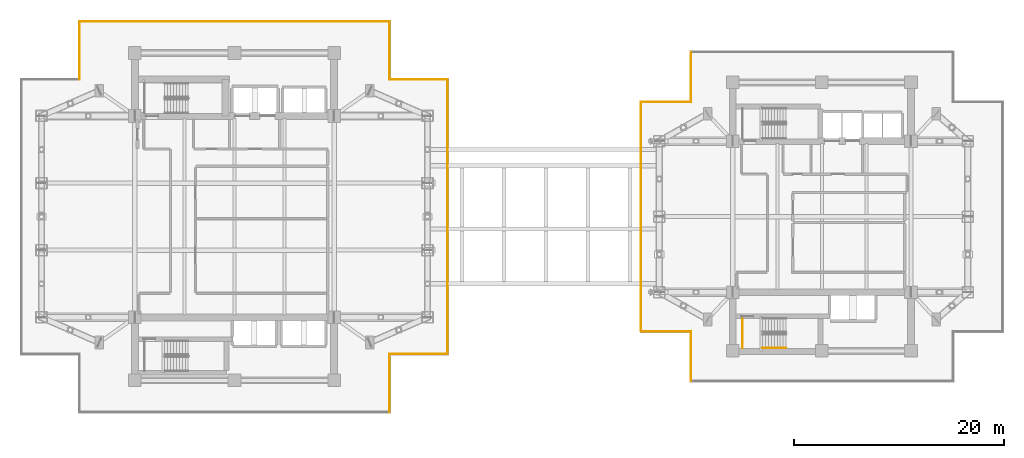
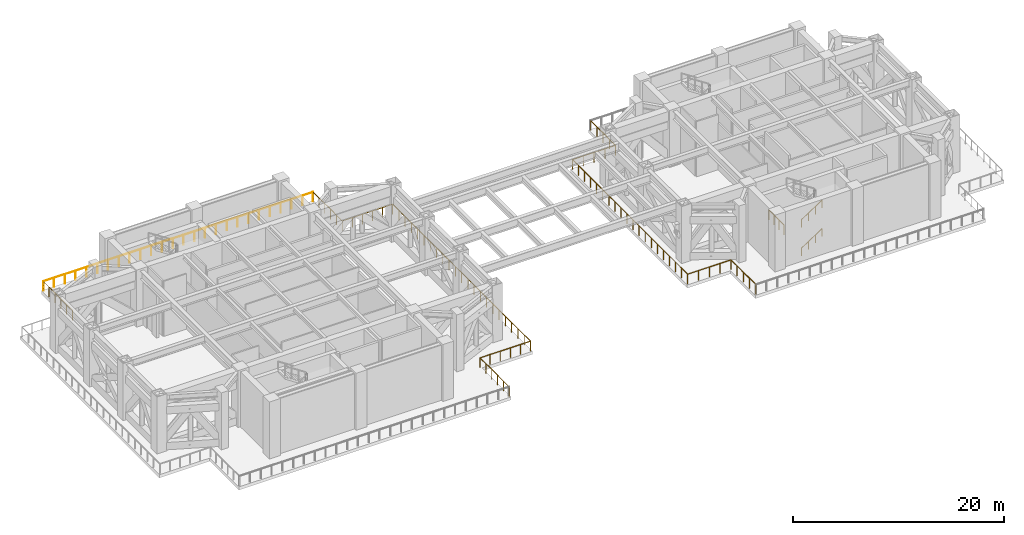
# One storey, part 18 of 21: 15 railings.
"""IFC4 building model written with IfcOpenShell, lengths in metres."""

from ifc_helpers import new_model, si_unit, direction, frame, origin, origin_2d, place, context, subcontext, project, spatial, circle, extrude, material, type_object, element, save


model = new_model("IFC4")

# Units and contexts
model_context = context("Model", 3, precision=1e-05, world=origin(), true_north=direction((0.0, 1.0)))
body_context = subcontext(model_context, "Body", "Model", "MODEL_VIEW")
ifc_project = project(units=[si_unit("LENGTHUNIT", "METRE"), si_unit("AREAUNIT", "SQUARE_METRE"), si_unit("VOLUMEUNIT", "CUBIC_METRE"), si_unit("PLANEANGLEUNIT", "RADIAN"), si_unit("MASSUNIT", "GRAM", prefix="KILO")], contexts=[model_context])

# Site, building, storey
site_placement = place(None, origin())
site = spatial("IfcSite", under=ifc_project, at=site_placement, CompositionType="ELEMENT")
building_placement = place(site_placement, origin())
building = spatial("IfcBuilding", under=site, at=building_placement, Name="Mirazonda Arch Towers", CompositionType="ELEMENT")
storey_placement = place(building_placement, frame((0.0, 0.0, 81.800048828125)))
storey = spatial("IfcBuildingStorey", under=building, at=storey_placement, Name="L23", CompositionType="ELEMENT", Elevation=81.800048828125)

# Railings
ifc_material = material(Name="Architectural Brushed Steel S355", Category="steel")
railing_type_1 = type_object("IfcRailingType", Name="GUARD-EXT-1150", PredefinedType="GUARDRAIL", material=ifc_material)
railing_1_placement = place(storey_placement, frame((35.284912109375, 9.389892578125, 0.0)))
element("IfcRailing", 1, at=railing_1_placement, inside=storey, type_object=railing_type_1, Name="L23 T1 Open Wind-Portal Perimeter Guard 02", PredefinedType="GUARDRAIL", context=body_context, shape_type="SweptSolid", body=[
    extrude(circle(Radius=0.02392578125, at=origin_2d()), frame((0.0, 0.0, 1.1259765625), z_axis=(0.0, 1.0, 0.0), x_axis=(-1.0, 0.0, 0.0)), (0.0, 0.0, 1.0), 5.525146484375),
    extrude(circle(Radius=0.02099609375, at=origin_2d()), origin(), (0.0, 0.0, 1.0), 1.101806640625),
    extrude(circle(Radius=0.02099609375, at=origin_2d()), frame((0.0, 1.10498046875, 0.0)), (0.0, 0.0, 1.0), 1.101806640625),
    extrude(circle(Radius=0.02099609375, at=origin_2d()), frame((0.0, 2.2099609375, 0.0)), (0.0, 0.0, 1.0), 1.101806640625),
    extrude(circle(Radius=0.02099609375, at=origin_2d()), frame((0.0, 3.315185546875, 0.0)), (0.0, 0.0, 1.0), 1.101806640625),
    extrude(circle(Radius=0.02099609375, at=origin_2d()), frame((0.0, 4.420166015625, 0.0)), (0.0, 0.0, 1.0), 1.101806640625),
    extrude(circle(Radius=0.02099609375, at=origin_2d()), frame((0.0, 5.525146484375, 0.0)), (0.0, 0.0, 1.0), 1.101806640625),
])
railing_2_placement = place(storey_placement, frame((35.284912109375, 14.9150390625, 0.0)))
element("IfcRailing", 2, at=railing_2_placement, inside=storey, type_object=railing_type_1, Name="L23 T1 Open Wind-Portal Perimeter Guard 03", PredefinedType="GUARDRAIL", context=body_context, shape_type="SweptSolid", body=[
    extrude(circle(Radius=0.02392578125, at=origin_2d()), frame((0.0, 0.0, 1.1259765625), z_axis=(1.0, 0.0, 0.0), x_axis=(0.0, 1.0, 0.0)), (0.0, 0.0, 1.0), 5.525146484375),
    extrude(circle(Radius=0.02099609375, at=origin_2d()), origin(), (0.0, 0.0, 1.0), 1.101806640625),
    extrude(circle(Radius=0.02099609375, at=origin_2d()), frame((1.10498046875, 0.0, 0.0)), (0.0, 0.0, 1.0), 1.101806640625),
    extrude(circle(Radius=0.02099609375, at=origin_2d()), frame((2.2099609375, 0.0, 0.0)), (0.0, 0.0, 1.0), 1.101806640625),
    extrude(circle(Radius=0.02099609375, at=origin_2d()), frame((3.315185546875, 0.0, 0.0)), (0.0, 0.0, 1.0), 1.101806640625),
    extrude(circle(Radius=0.02099609375, at=origin_2d()), frame((4.420166015625, 0.0, 0.0)), (0.0, 0.0, 1.0), 1.101806640625),
    extrude(circle(Radius=0.02099609375, at=origin_2d()), frame((5.525146484375, 0.0, 0.0)), (0.0, 0.0, 1.0), 1.101806640625),
])
railing_3_placement = place(storey_placement, frame((40.81005859375, 14.9150390625, 0.0)))
element("IfcRailing", 3, at=railing_3_placement, inside=storey, type_object=railing_type_1, Name="L23 T1 Open Wind-Portal Perimeter Guard 04", PredefinedType="GUARDRAIL", context=body_context, shape_type="SweptSolid", body=[
    extrude(circle(Radius=0.02392578125, at=origin_2d()), frame((0.0, 0.0, 1.1259765625), z_axis=(0.0, 1.0, 0.0), x_axis=(-1.0, 0.0, 0.0)), (0.0, 0.0, 1.0), 26.169921875),
    extrude(circle(Radius=0.02099609375, at=origin_2d()), origin(), (0.0, 0.0, 1.0), 1.101806640625),
    extrude(circle(Radius=0.02099609375, at=origin_2d()), frame((0.0, 1.189453125, 0.0)), (0.0, 0.0, 1.0), 1.101806640625),
    extrude(circle(Radius=0.02099609375, at=origin_2d()), frame((0.0, 2.379150390625, 0.0)), (0.0, 0.0, 1.0), 1.101806640625),
    extrude(circle(Radius=0.02099609375, at=origin_2d()), frame((0.0, 3.568603515625, 0.0)), (0.0, 0.0, 1.0), 1.101806640625),
    extrude(circle(Radius=0.02099609375, at=origin_2d()), frame((0.0, 4.758056640625, 0.0)), (0.0, 0.0, 1.0), 1.101806640625),
    extrude(circle(Radius=0.02099609375, at=origin_2d()), frame((0.0, 5.94775390625, 0.0)), (0.0, 0.0, 1.0), 1.101806640625),
    extrude(circle(Radius=0.02099609375, at=origin_2d()), frame((0.0, 7.13720703125, 0.0)), (0.0, 0.0, 1.0), 1.101806640625),
    extrude(circle(Radius=0.02099609375, at=origin_2d()), frame((0.0, 8.326904296875, 0.0)), (0.0, 0.0, 1.0), 1.101806640625),
    extrude(circle(Radius=0.02099609375, at=origin_2d()), frame((0.0, 9.516357421875, 0.0)), (0.0, 0.0, 1.0), 1.101806640625),
    extrude(circle(Radius=0.02099609375, at=origin_2d()), frame((0.0, 10.705810546875, 0.0)), (0.0, 0.0, 1.0), 1.101806640625),
    extrude(circle(Radius=0.02099609375, at=origin_2d()), frame((0.0, 11.8955078125, 0.0)), (0.0, 0.0, 1.0), 1.101806640625),
    extrude(circle(Radius=0.02099609375, at=origin_2d()), frame((0.0, 13.0849609375, 0.0)), (0.0, 0.0, 1.0), 1.101806640625),
    extrude(circle(Radius=0.02099609375, at=origin_2d()), frame((0.0, 14.2744140625, 0.0)), (0.0, 0.0, 1.0), 1.101806640625),
    extrude(circle(Radius=0.02099609375, at=origin_2d()), frame((0.0, 15.464111328125, 0.0)), (0.0, 0.0, 1.0), 1.101806640625),
    extrude(circle(Radius=0.02099609375, at=origin_2d()), frame((0.0, 16.653564453125, 0.0)), (0.0, 0.0, 1.0), 1.101806640625),
    extrude(circle(Radius=0.02099609375, at=origin_2d()), frame((0.0, 17.843017578125, 0.0)), (0.0, 0.0, 1.0), 1.101806640625),
    extrude(circle(Radius=0.02099609375, at=origin_2d()), frame((0.0, 19.03271484375, 0.0)), (0.0, 0.0, 1.0), 1.101806640625),
    extrude(circle(Radius=0.02099609375, at=origin_2d()), frame((0.0, 20.22216796875, 0.0)), (0.0, 0.0, 1.0), 1.101806640625),
    extrude(circle(Radius=0.02099609375, at=origin_2d()), frame((0.0, 21.411865234375, 0.0)), (0.0, 0.0, 1.0), 1.101806640625),
    extrude(circle(Radius=0.02099609375, at=origin_2d()), frame((0.0, 22.601318359375, 0.0)), (0.0, 0.0, 1.0), 1.101806640625),
    extrude(circle(Radius=0.02099609375, at=origin_2d()), frame((0.0, 23.790771484375, 0.0)), (0.0, 0.0, 1.0), 1.101806640625),
    extrude(circle(Radius=0.02099609375, at=origin_2d()), frame((0.0, 24.98046875, 0.0)), (0.0, 0.0, 1.0), 1.101806640625),
    extrude(circle(Radius=0.02099609375, at=origin_2d()), frame((0.0, 26.169921875, 0.0)), (0.0, 0.0, 1.0), 1.101806640625),
])
railing_4_placement = place(storey_placement, frame((40.81005859375, 41.0849609375, 0.0)))
element("IfcRailing", 4, at=railing_4_placement, inside=storey, type_object=railing_type_1, Name="L23 T1 Open Wind-Portal Perimeter Guard 05", PredefinedType="GUARDRAIL", context=body_context, shape_type="SweptSolid", body=[
    extrude(circle(Radius=0.02392578125, at=origin_2d()), frame((0.0, 0.0, 1.1259765625), z_axis=(-1.0, 0.0, 0.0), x_axis=(0.0, -1.0, 0.0)), (0.0, 0.0, 1.0), 5.525146484375),
    extrude(circle(Radius=0.02099609375, at=origin_2d()), origin(), (0.0, 0.0, 1.0), 1.101806640625),
    extrude(circle(Radius=0.02099609375, at=origin_2d()), frame((-1.10498046875, 0.0, 0.0)), (0.0, 0.0, 1.0), 1.101806640625),
    extrude(circle(Radius=0.02099609375, at=origin_2d()), frame((-2.2099609375, 0.0, 0.0)), (0.0, 0.0, 1.0), 1.101806640625),
    extrude(circle(Radius=0.02099609375, at=origin_2d()), frame((-3.315185546875, 0.0, 0.0)), (0.0, 0.0, 1.0), 1.101806640625),
    extrude(circle(Radius=0.02099609375, at=origin_2d()), frame((-4.420166015625, 0.0, 0.0)), (0.0, 0.0, 1.0), 1.101806640625),
    extrude(circle(Radius=0.02099609375, at=origin_2d()), frame((-5.525146484375, 0.0, 0.0)), (0.0, 0.0, 1.0), 1.101806640625),
])
railing_5_placement = place(storey_placement, frame((35.284912109375, 41.0849609375, 0.0)))
element("IfcRailing", 5, at=railing_5_placement, inside=storey, type_object=railing_type_1, Name="L23 T1 Open Wind-Portal Perimeter Guard 06", PredefinedType="GUARDRAIL", context=body_context, shape_type="SweptSolid", body=[
    extrude(circle(Radius=0.02392578125, at=origin_2d()), frame((0.0, 0.0, 1.1259765625), z_axis=(0.0, 1.0, 0.0), x_axis=(-1.0, 0.0, 0.0)), (0.0, 0.0, 1.0), 5.525146484375),
    extrude(circle(Radius=0.02099609375, at=origin_2d()), origin(), (0.0, 0.0, 1.0), 1.101806640625),
    extrude(circle(Radius=0.02099609375, at=origin_2d()), frame((0.0, 1.10498046875, 0.0)), (0.0, 0.0, 1.0), 1.101806640625),
    extrude(circle(Radius=0.02099609375, at=origin_2d()), frame((0.0, 2.2099609375, 0.0)), (0.0, 0.0, 1.0), 1.101806640625),
    extrude(circle(Radius=0.02099609375, at=origin_2d()), frame((0.0, 3.315185546875, 0.0)), (0.0, 0.0, 1.0), 1.101806640625),
    extrude(circle(Radius=0.02099609375, at=origin_2d()), frame((0.0, 4.420166015625, 0.0)), (0.0, 0.0, 1.0), 1.101806640625),
    extrude(circle(Radius=0.02099609375, at=origin_2d()), frame((0.0, 5.525146484375, 0.0)), (0.0, 0.0, 1.0), 1.101806640625),
])
railing_6_placement = place(storey_placement, frame((35.284912109375, 46.610107421875, 0.0)))
element("IfcRailing", 6, at=railing_6_placement, inside=storey, type_object=railing_type_1, Name="L23 T1 Open Wind-Portal Perimeter Guard 07", PredefinedType="GUARDRAIL", context=body_context, shape_type="SweptSolid", body=[
    extrude(circle(Radius=0.02392578125, at=origin_2d()), frame((0.0, 0.0, 1.1259765625), z_axis=(-1.0, 0.0, 0.0), x_axis=(0.0, -1.0, 0.0)), (0.0, 0.0, 1.0), 29.56982421875),
    extrude(circle(Radius=0.02099609375, at=origin_2d()), origin(), (0.0, 0.0, 1.0), 1.101806640625),
    extrude(circle(Radius=0.02099609375, at=origin_2d()), frame((-1.182861328125, 0.0, 0.0)), (0.0, 0.0, 1.0), 1.101806640625),
    extrude(circle(Radius=0.02099609375, at=origin_2d()), frame((-2.365478515625, 0.0, 0.0)), (0.0, 0.0, 1.0), 1.101806640625),
    extrude(circle(Radius=0.02099609375, at=origin_2d()), frame((-3.54833984375, 0.0, 0.0)), (0.0, 0.0, 1.0), 1.101806640625),
    extrude(circle(Radius=0.02099609375, at=origin_2d()), frame((-4.731201171875, 0.0, 0.0)), (0.0, 0.0, 1.0), 1.101806640625),
    extrude(circle(Radius=0.02099609375, at=origin_2d()), frame((-5.9140625, 0.0, 0.0)), (0.0, 0.0, 1.0), 1.101806640625),
    extrude(circle(Radius=0.02099609375, at=origin_2d()), frame((-7.0966796875, 0.0, 0.0)), (0.0, 0.0, 1.0), 1.101806640625),
    extrude(circle(Radius=0.02099609375, at=origin_2d()), frame((-8.279541015625, 0.0, 0.0)), (0.0, 0.0, 1.0), 1.101806640625),
    extrude(circle(Radius=0.02099609375, at=origin_2d()), frame((-9.46240234375, 0.0, 0.0)), (0.0, 0.0, 1.0), 1.101806640625),
    extrude(circle(Radius=0.02099609375, at=origin_2d()), frame((-10.64501953125, 0.0, 0.0)), (0.0, 0.0, 1.0), 1.101806640625),
    extrude(circle(Radius=0.02099609375, at=origin_2d()), frame((-11.827880859375, 0.0, 0.0)), (0.0, 0.0, 1.0), 1.101806640625),
    extrude(circle(Radius=0.02099609375, at=origin_2d()), frame((-13.0107421875, 0.0, 0.0)), (0.0, 0.0, 1.0), 1.101806640625),
    extrude(circle(Radius=0.02099609375, at=origin_2d()), frame((-14.193603515625, 0.0, 0.0)), (0.0, 0.0, 1.0), 1.101806640625),
    extrude(circle(Radius=0.02099609375, at=origin_2d()), frame((-15.376220703125, 0.0, 0.0)), (0.0, 0.0, 1.0), 1.101806640625),
    extrude(circle(Radius=0.02099609375, at=origin_2d()), frame((-16.55908203125, 0.0, 0.0)), (0.0, 0.0, 1.0), 1.101806640625),
    extrude(circle(Radius=0.02099609375, at=origin_2d()), frame((-17.741943359375, 0.0, 0.0)), (0.0, 0.0, 1.0), 1.101806640625),
    extrude(circle(Radius=0.02099609375, at=origin_2d()), frame((-18.9248046875, 0.0, 0.0)), (0.0, 0.0, 1.0), 1.101806640625),
    extrude(circle(Radius=0.02099609375, at=origin_2d()), frame((-20.107421875, 0.0, 0.0)), (0.0, 0.0, 1.0), 1.101806640625),
    extrude(circle(Radius=0.02099609375, at=origin_2d()), frame((-21.290283203125, 0.0, 0.0)), (0.0, 0.0, 1.0), 1.101806640625),
    extrude(circle(Radius=0.02099609375, at=origin_2d()), frame((-22.47314453125, 0.0, 0.0)), (0.0, 0.0, 1.0), 1.101806640625),
    extrude(circle(Radius=0.02099609375, at=origin_2d()), frame((-23.65576171875, 0.0, 0.0)), (0.0, 0.0, 1.0), 1.101806640625),
    extrude(circle(Radius=0.02099609375, at=origin_2d()), frame((-24.838623046875, 0.0, 0.0)), (0.0, 0.0, 1.0), 1.101806640625),
    extrude(circle(Radius=0.02099609375, at=origin_2d()), frame((-26.021484375, 0.0, 0.0)), (0.0, 0.0, 1.0), 1.101806640625),
    extrude(circle(Radius=0.02099609375, at=origin_2d()), frame((-27.204345703125, 0.0, 0.0)), (0.0, 0.0, 1.0), 1.101806640625),
    extrude(circle(Radius=0.02099609375, at=origin_2d()), frame((-28.386962890625, 0.0, 0.0)), (0.0, 0.0, 1.0), 1.101806640625),
    extrude(circle(Radius=0.02099609375, at=origin_2d()), frame((-29.56982421875, 0.0, 0.0)), (0.0, 0.0, 1.0), 1.101806640625),
])
railing_7_placement = place(storey_placement, frame((5.715087890625, 46.610107421875, 0.0)))
element("IfcRailing", 7, at=railing_7_placement, inside=storey, type_object=railing_type_1, Name="L23 T1 Open Wind-Portal Perimeter Guard 08", PredefinedType="GUARDRAIL", context=body_context, shape_type="SweptSolid", body=[
    extrude(circle(Radius=0.02392578125, at=origin_2d()), frame((0.0, 0.0, 1.1259765625), z_axis=(0.0, -1.0, 0.0), x_axis=(1.0, 0.0, 0.0)), (0.0, 0.0, 1.0), 5.525146484375),
    extrude(circle(Radius=0.02099609375, at=origin_2d()), origin(), (0.0, 0.0, 1.0), 1.101806640625),
    extrude(circle(Radius=0.02099609375, at=origin_2d()), frame((0.0, -1.10498046875, 0.0)), (0.0, 0.0, 1.0), 1.101806640625),
    extrude(circle(Radius=0.02099609375, at=origin_2d()), frame((0.0, -2.2099609375, 0.0)), (0.0, 0.0, 1.0), 1.101806640625),
    extrude(circle(Radius=0.02099609375, at=origin_2d()), frame((0.0, -3.315185546875, 0.0)), (0.0, 0.0, 1.0), 1.101806640625),
    extrude(circle(Radius=0.02099609375, at=origin_2d()), frame((0.0, -4.420166015625, 0.0)), (0.0, 0.0, 1.0), 1.101806640625),
    extrude(circle(Radius=0.02099609375, at=origin_2d()), frame((0.0, -5.525146484375, 0.0)), (0.0, 0.0, 1.0), 1.101806640625),
])
railing_8_placement = place(storey_placement, frame((64.013916015625, 43.677490234375, 0.0)))
element("IfcRailing", 8, at=railing_8_placement, inside=storey, type_object=railing_type_1, Name="L23 T2 Open Wind-Portal Perimeter Guard 08", PredefinedType="GUARDRAIL", context=body_context, shape_type="SweptSolid", body=[
    extrude(circle(Radius=0.02392578125, at=origin_2d()), frame((0.0, 0.0, 1.1259765625), z_axis=(0.0, -1.0, 0.0), x_axis=(1.0, 0.0, 0.0)), (0.0, 0.0, 1.0), 4.736328125),
    extrude(circle(Radius=0.02099609375, at=origin_2d()), origin(), (0.0, 0.0, 1.0), 1.101806640625),
    extrude(circle(Radius=0.02099609375, at=origin_2d()), frame((0.0, -1.18408203125, 0.0)), (0.0, 0.0, 1.0), 1.101806640625),
    extrude(circle(Radius=0.02099609375, at=origin_2d()), frame((0.0, -2.3681640625, 0.0)), (0.0, 0.0, 1.0), 1.101806640625),
    extrude(circle(Radius=0.02099609375, at=origin_2d()), frame((0.0, -3.55224609375, 0.0)), (0.0, 0.0, 1.0), 1.101806640625),
    extrude(circle(Radius=0.02099609375, at=origin_2d()), frame((0.0, -4.736328125, 0.0)), (0.0, 0.0, 1.0), 1.101806640625),
])
railing_9_placement = place(storey_placement, frame((64.013916015625, 38.941162109375, 0.0)))
element("IfcRailing", 9, at=railing_9_placement, inside=storey, type_object=railing_type_1, Name="L23 T2 Open Wind-Portal Perimeter Guard 09", PredefinedType="GUARDRAIL", context=body_context, shape_type="SweptSolid", body=[
    extrude(circle(Radius=0.02392578125, at=origin_2d()), frame((0.0, 0.0, 1.1259765625), z_axis=(-1.0, 0.0, 0.0), x_axis=(0.0, -1.0, 0.0)), (0.0, 0.0, 1.0), 4.736328125),
    extrude(circle(Radius=0.02099609375, at=origin_2d()), origin(), (0.0, 0.0, 1.0), 1.101806640625),
    extrude(circle(Radius=0.02099609375, at=origin_2d()), frame((-1.18408203125, 0.0, 0.0)), (0.0, 0.0, 1.0), 1.101806640625),
    extrude(circle(Radius=0.02099609375, at=origin_2d()), frame((-2.3681640625, 0.0, 0.0)), (0.0, 0.0, 1.0), 1.101806640625),
    extrude(circle(Radius=0.02099609375, at=origin_2d()), frame((-3.55224609375, 0.0, 0.0)), (0.0, 0.0, 1.0), 1.101806640625),
    extrude(circle(Radius=0.02099609375, at=origin_2d()), frame((-4.736328125, 0.0, 0.0)), (0.0, 0.0, 1.0), 1.101806640625),
])
railing_10_placement = place(storey_placement, frame((59.277587890625, 38.941162109375, 0.0)))
element("IfcRailing", 10, at=railing_10_placement, inside=storey, type_object=railing_type_1, Name="L23 T2 Open Wind-Portal Perimeter Guard 10", PredefinedType="GUARDRAIL", context=body_context, shape_type="SweptSolid", body=[
    extrude(circle(Radius=0.02392578125, at=origin_2d()), frame((0.0, 0.0, 1.1259765625), z_axis=(0.0, -1.0, 0.0), x_axis=(1.0, 0.0, 0.0)), (0.0, 0.0, 1.0), 21.88232421875),
    extrude(circle(Radius=0.02099609375, at=origin_2d()), origin(), (0.0, 0.0, 1.0), 1.101806640625),
    extrude(circle(Radius=0.02099609375, at=origin_2d()), frame((0.0, -1.151611328125, 0.0)), (0.0, 0.0, 1.0), 1.101806640625),
    extrude(circle(Radius=0.02099609375, at=origin_2d()), frame((0.0, -2.303466796875, 0.0)), (0.0, 0.0, 1.0), 1.101806640625),
    extrude(circle(Radius=0.02099609375, at=origin_2d()), frame((0.0, -3.455078125, 0.0)), (0.0, 0.0, 1.0), 1.101806640625),
    extrude(circle(Radius=0.02099609375, at=origin_2d()), frame((0.0, -4.606689453125, 0.0)), (0.0, 0.0, 1.0), 1.101806640625),
    extrude(circle(Radius=0.02099609375, at=origin_2d()), frame((0.0, -5.758544921875, 0.0)), (0.0, 0.0, 1.0), 1.101806640625),
    extrude(circle(Radius=0.02099609375, at=origin_2d()), frame((0.0, -6.91015625, 0.0)), (0.0, 0.0, 1.0), 1.101806640625),
    extrude(circle(Radius=0.02099609375, at=origin_2d()), frame((0.0, -8.06201171875, 0.0)), (0.0, 0.0, 1.0), 1.101806640625),
    extrude(circle(Radius=0.02099609375, at=origin_2d()), frame((0.0, -9.213623046875, 0.0)), (0.0, 0.0, 1.0), 1.101806640625),
    extrude(circle(Radius=0.02099609375, at=origin_2d()), frame((0.0, -10.365234375, 0.0)), (0.0, 0.0, 1.0), 1.101806640625),
    extrude(circle(Radius=0.02099609375, at=origin_2d()), frame((0.0, -11.51708984375, 0.0)), (0.0, 0.0, 1.0), 1.101806640625),
    extrude(circle(Radius=0.02099609375, at=origin_2d()), frame((0.0, -12.668701171875, 0.0)), (0.0, 0.0, 1.0), 1.101806640625),
    extrude(circle(Radius=0.02099609375, at=origin_2d()), frame((0.0, -13.8203125, 0.0)), (0.0, 0.0, 1.0), 1.101806640625),
    extrude(circle(Radius=0.02099609375, at=origin_2d()), frame((0.0, -14.97216796875, 0.0)), (0.0, 0.0, 1.0), 1.101806640625),
    extrude(circle(Radius=0.02099609375, at=origin_2d()), frame((0.0, -16.123779296875, 0.0)), (0.0, 0.0, 1.0), 1.101806640625),
    extrude(circle(Radius=0.02099609375, at=origin_2d()), frame((0.0, -17.275634765625, 0.0)), (0.0, 0.0, 1.0), 1.101806640625),
    extrude(circle(Radius=0.02099609375, at=origin_2d()), frame((0.0, -18.42724609375, 0.0)), (0.0, 0.0, 1.0), 1.101806640625),
    extrude(circle(Radius=0.02099609375, at=origin_2d()), frame((0.0, -19.578857421875, 0.0)), (0.0, 0.0, 1.0), 1.101806640625),
    extrude(circle(Radius=0.02099609375, at=origin_2d()), frame((0.0, -20.730712890625, 0.0)), (0.0, 0.0, 1.0), 1.101806640625),
    extrude(circle(Radius=0.02099609375, at=origin_2d()), frame((0.0, -21.88232421875, 0.0)), (0.0, 0.0, 1.0), 1.101806640625),
])
railing_11_placement = place(storey_placement, frame((59.277587890625, 17.058837890625, 0.0)))
element("IfcRailing", 11, at=railing_11_placement, inside=storey, type_object=railing_type_1, Name="L23 T2 Open Wind-Portal Perimeter Guard 11", PredefinedType="GUARDRAIL", context=body_context, shape_type="SweptSolid", body=[
    extrude(circle(Radius=0.02392578125, at=origin_2d()), frame((0.0, 0.0, 1.1259765625), z_axis=(1.0, 0.0, 0.0), x_axis=(0.0, 1.0, 0.0)), (0.0, 0.0, 1.0), 4.736328125),
    extrude(circle(Radius=0.02099609375, at=origin_2d()), origin(), (0.0, 0.0, 1.0), 1.101806640625),
    extrude(circle(Radius=0.02099609375, at=origin_2d()), frame((1.18408203125, 0.0, 0.0)), (0.0, 0.0, 1.0), 1.101806640625),
    extrude(circle(Radius=0.02099609375, at=origin_2d()), frame((2.3681640625, 0.0, 0.0)), (0.0, 0.0, 1.0), 1.101806640625),
    extrude(circle(Radius=0.02099609375, at=origin_2d()), frame((3.55224609375, 0.0, 0.0)), (0.0, 0.0, 1.0), 1.101806640625),
    extrude(circle(Radius=0.02099609375, at=origin_2d()), frame((4.736328125, 0.0, 0.0)), (0.0, 0.0, 1.0), 1.101806640625),
])
railing_12_placement = place(storey_placement, frame((64.013916015625, 17.058837890625, 0.0)))
element("IfcRailing", 12, at=railing_12_placement, inside=storey, type_object=railing_type_1, Name="L23 T2 Open Wind-Portal Perimeter Guard 12", PredefinedType="GUARDRAIL", context=body_context, shape_type="SweptSolid", body=[
    extrude(circle(Radius=0.02392578125, at=origin_2d()), frame((0.0, 0.0, 1.1259765625), z_axis=(0.0, -1.0, 0.0), x_axis=(1.0, 0.0, 0.0)), (0.0, 0.0, 1.0), 4.736328125),
    extrude(circle(Radius=0.02099609375, at=origin_2d()), origin(), (0.0, 0.0, 1.0), 1.101806640625),
    extrude(circle(Radius=0.02099609375, at=origin_2d()), frame((0.0, -1.18408203125, 0.0)), (0.0, 0.0, 1.0), 1.101806640625),
    extrude(circle(Radius=0.02099609375, at=origin_2d()), frame((0.0, -2.3681640625, 0.0)), (0.0, 0.0, 1.0), 1.101806640625),
    extrude(circle(Radius=0.02099609375, at=origin_2d()), frame((0.0, -3.55224609375, 0.0)), (0.0, 0.0, 1.0), 1.101806640625),
    extrude(circle(Radius=0.02099609375, at=origin_2d()), frame((0.0, -4.736328125, 0.0)), (0.0, 0.0, 1.0), 1.101806640625),
])
railing_type_2 = type_object("IfcRailingType", Name="GUARD-STAIR-1120", PredefinedType="GUARDRAIL", material=ifc_material)
railing_13_placement = place(storey_placement, frame((68.909912109375, 15.469970703125, 3.300048828125)))
element("IfcRailing", 13, at=railing_13_placement, inside=storey, type_object=railing_type_2, Name="L23 ST-T2S stair guard 9", PredefinedType="GUARDRAIL", context=body_context, shape_type="SweptSolid", body=[
    extrude(circle(Radius=0.02392578125, at=origin_2d()), frame((0.0, 0.0, 1.1259765625), z_axis=(0.0, 1.0, 0.0), x_axis=(-1.0, 0.0, 0.0)), (0.0, 0.0, 1.0), 2.840087890625),
    extrude(circle(Radius=0.02099609375, at=origin_2d()), origin(), (0.0, 0.0, 1.0), 1.101806640625),
    extrude(circle(Radius=0.02099609375, at=origin_2d()), frame((0.0, 0.94677734375, 0.0)), (0.0, 0.0, 1.0), 1.101806640625),
    extrude(circle(Radius=0.02099609375, at=origin_2d()), frame((0.0, 1.893310546875, 0.0)), (0.0, 0.0, 1.0), 1.101806640625),
    extrude(circle(Radius=0.02099609375, at=origin_2d()), frame((0.0, 2.840087890625, 0.0)), (0.0, 0.0, 1.0), 1.101806640625),
])
railing_type_3 = type_object("IfcRailingType", Name="HANDRAIL-915", PredefinedType="HANDRAIL", material=ifc_material)
for number, where, name in (
    (14, (70.85009765625, 15.469970703125, 0.183349609375), "L23 ST-T2S stair handrail 1"),
    (15, (70.85009765625, 15.469970703125, 3.4833984375), "L23 ST-T2S stair handrail 3"),
):
    element("IfcRailing", number, at=place(storey_placement, frame(where)), inside=storey, type_object=railing_type_3, Name=name, PredefinedType="HANDRAIL", context=body_context, shape_type="SweptSolid", body=[
        extrude(circle(Radius=0.02392578125, at=origin_2d()), frame((0.0, 0.0, 0.8759765625), z_axis=(0.836636935527, 0.0, 0.547757827979), x_axis=(0.0, 1.0, 0.0)), (0.0, 0.0, 1.0), 2.677490234375),
        extrude(circle(Radius=0.02099609375, at=origin_2d()), origin(), (0.0, 0.0, 1.0), 0.851806640625),
        extrude(circle(Radius=0.02099609375, at=origin_2d()), frame((0.74658203125, 0.0, 0.48876953125)), (0.0, 0.0, 1.0), 0.851806640625),
        extrude(circle(Radius=0.02099609375, at=origin_2d()), frame((1.493408203125, 0.0, 0.977783203125)), (0.0, 0.0, 1.0), 0.851806640625),
        extrude(circle(Radius=0.02099609375, at=origin_2d()), frame((2.239990234375, 0.0, 1.466552734375)), (0.0, 0.0, 1.0), 0.851806640625),
    ])

save(model, "model.ifc")
